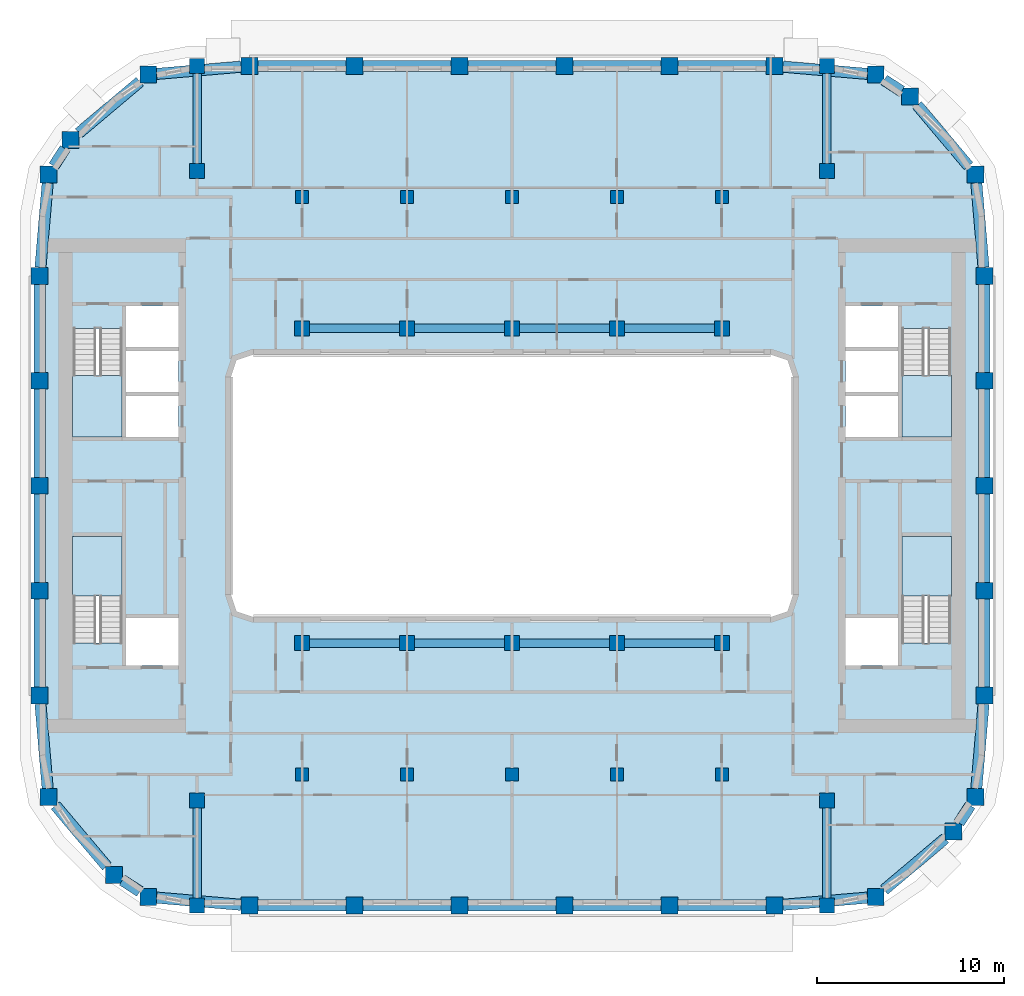
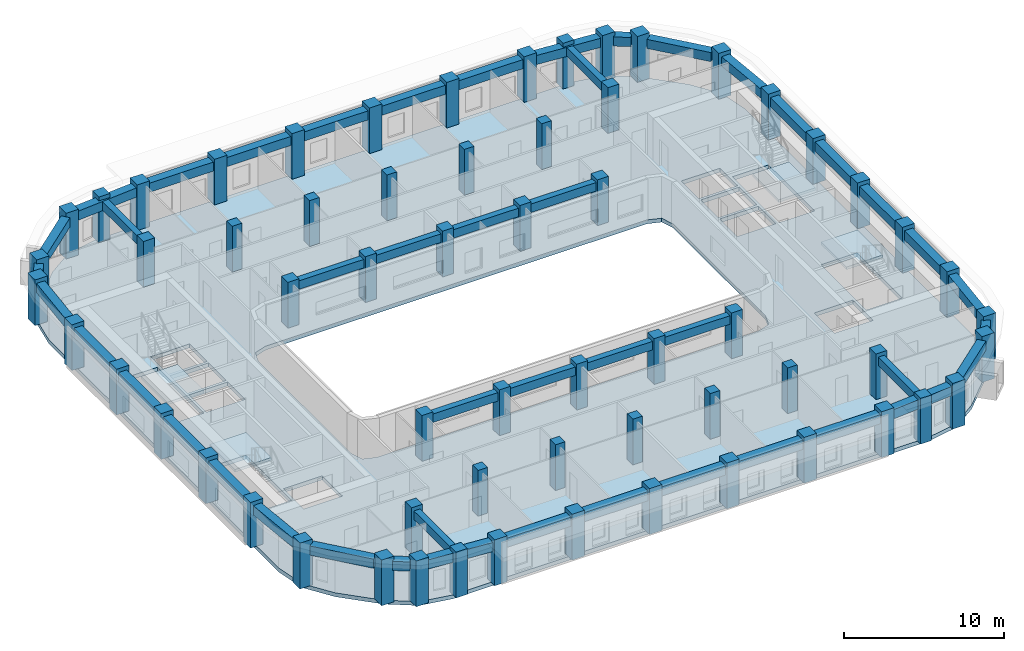
# One storey, part 1 of 21: 62 columns, 46 beams, 5 slabs, 4 elements without a shape of their own.
"""IFC4 building model written with IfcOpenShell, lengths in metres."""

from ifc_helpers import new_model, si_unit, direction, frame, origin, origin_2d, place, context, subcontext, project, spatial, polyline, rectangle, outline, extrude, material, layer, layer_set, material_profile, profile_set, type_object, element, aggregate, save


model = new_model("IFC4")

# Units and contexts
model_context = context("Model", 3, precision=1e-05, world=origin(), true_north=direction((0.0, 1.0)))
body_context = subcontext(model_context, "Body", "Model", "MODEL_VIEW")
ifc_project = project(units=[si_unit("LENGTHUNIT", "METRE"), si_unit("AREAUNIT", "SQUARE_METRE"), si_unit("VOLUMEUNIT", "CUBIC_METRE"), si_unit("PLANEANGLEUNIT", "RADIAN"), si_unit("MASSUNIT", "GRAM", prefix="KILO")], contexts=[model_context])

# Site, building, storey
site_placement = place(None, origin())
site = spatial("IfcSite", under=ifc_project, at=site_placement, CompositionType="ELEMENT")
building_placement = place(site_placement, origin())
building = spatial("IfcBuilding", under=site, at=building_placement, Name="Kiln Ring Residences", CompositionType="ELEMENT")
storey_placement = place(building_placement, frame((0.0, 0.0, 199.39990234375)))
storey = spatial("IfcBuildingStorey", under=building, at=storey_placement, Name="L51", CompositionType="ELEMENT", Elevation=199.39990234375)

# Columns
ifc_material_1 = material(Name="Concrete C70/85", Category="concrete")
ifc_material_profile_1 = material_profile(ifc_material_1, rectangle(XDim=0.699951171875, YDim=0.699951171875, at=origin_2d()), Name="RC700x700")
ifc_profile_set_1 = profile_set([ifc_material_profile_1], Name="Concrete C70/85")
column_type_1 = type_object("IfcColumnType", Name="Corridor column RC700x700 C70/85", PredefinedType="COLUMN", material=ifc_profile_set_1)
for number, where, z_axis, x_axis, name in (
    (1, (-11.199951171875, 15.39990234375, 0.0), (0.0, 0.0, 1.0), (1.0, 0.0, 0.0), "Corridor column L51 1"),
    (2, (-5.60009765625, 15.39990234375, 0.0), (0.0, 0.0, 1.0), (1.0, 0.0, 0.0), "Corridor column L51 2"),
    (3, (0.0, 15.39990234375, 0.0), (0.0, 0.0, 1.0), (1.0, 0.0, 0.0), "Corridor column L51 3"),
    (4, (5.60009765625, 15.39990234375, 0.0), (0.0, 0.0, 1.0), (1.0, 0.0, 0.0), "Corridor column L51 4"),
    (5, (11.199951171875, 15.39990234375, 0.0), (0.0, 0.0, 1.0), (1.0, 0.0, 0.0), "Corridor column L51 5"),
    (6, (-11.199951171875, -15.39990234375, 0.0), (0.0, 0.0, 1.0), (1.0, 0.0, 0.0), "Corridor column L51 6"),
    (7, (-5.60009765625, -15.39990234375, 0.0), (0.0, 0.0, 1.0), (1.0, 0.0, 0.0), "Corridor column L51 7"),
    (8, (0.0, -15.39990234375, 0.0), (0.0, 0.0, 1.0), (1.0, 0.0, 0.0), "Corridor column L51 8"),
    (9, (5.60009765625, -15.39990234375, 0.0), (0.0, 0.0, 1.0), (1.0, 0.0, 0.0), "Corridor column L51 9"),
    (10, (11.199951171875, -15.39990234375, 0.0), (0.0, 0.0, 1.0), (1.0, 0.0, 0.0), "Corridor column L51 10"),
):
    element("IfcColumn", number, at=place(storey_placement, frame(where, z_axis=z_axis, x_axis=x_axis)), inside=storey, type_object=column_type_1, Name=name, PredefinedType="COLUMN", context=body_context, shape_type="SweptSolid", body=[
        extrude(rectangle(XDim=0.699951171875, YDim=0.699951171875, at=origin_2d()), origin(), (0.0, 0.0, 1.0), 3.5),
    ])
ifc_material_2 = material(Name="Concrete C70/85", Category="concrete")
ifc_material_profile_2 = material_profile(ifc_material_2, rectangle(XDim=0.89990234375, YDim=0.89990234375, at=origin_2d()), Name="RC900x900")
ifc_profile_set_2 = profile_set([ifc_material_profile_2], Name="Concrete C70/85")
column_type_2 = type_object("IfcColumnType", Name="Perimeter column RC900x900 C70/85", PredefinedType="COLUMN", material=ifc_profile_set_2)
for number, where, z_axis, x_axis, name in (
    (11, (-19.40869140625, -21.93798828125, 0.0), (0.0, 0.0, 1.0), (1.0, 0.0, 0.0), "Perimeter column L51 1"),
    (12, (-14.0, -22.39990234375, 0.0), (0.0, 0.0, 1.0), (1.0, 0.0, 0.0), "Perimeter column L51 2"),
    (13, (-8.39990234375, -22.39990234375, 0.0), (0.0, 0.0, 1.0), (1.0, 0.0, 0.0), "Perimeter column L51 3"),
    (14, (-2.800048828125, -22.39990234375, 0.0), (0.0, 0.0, 1.0), (1.0, 0.0, 0.0), "Perimeter column L51 4"),
    (15, (2.800048828125, -22.39990234375, 0.0), (0.0, 0.0, 1.0), (1.0, 0.0, 0.0), "Perimeter column L51 5"),
    (16, (8.39990234375, -22.39990234375, 0.0), (0.0, 0.0, 1.0), (1.0, 0.0, 0.0), "Perimeter column L51 6"),
    (17, (14.0, -22.39990234375, 0.0), (0.0, 0.0, 1.0), (1.0, 0.0, 0.0), "Perimeter column L51 7"),
    (18, (19.40869140625, -21.93798828125, 0.0), (0.0, 0.0, 1.0), (1.0, 0.0, 0.0), "Perimeter column L51 8"),
    (19, (23.559814453125, -18.440185546875, 0.0), (0.0, 0.0, 1.0), (1.0, 0.0, 0.0), "Perimeter column L51 9"),
    (20, (24.738037109375, -16.608642578125, 0.0), (0.0, 0.0, 1.0), (1.0, 0.0, 0.0), "Perimeter column L51 10"),
    (21, (25.199951171875, -11.199951171875, 0.0), (0.0, 0.0, 1.0), (1.0, 0.0, 0.0), "Perimeter column L51 11"),
    (22, (25.199951171875, -5.60009765625, 0.0), (0.0, 0.0, 1.0), (1.0, 0.0, 0.0), "Perimeter column L51 12"),
    (23, (25.199951171875, 0.0, 0.0), (0.0, 0.0, 1.0), (1.0, 0.0, 0.0), "Perimeter column L51 13"),
    (24, (25.199951171875, 5.60009765625, 0.0), (0.0, 0.0, 1.0), (1.0, 0.0, 0.0), "Perimeter column L51 14"),
    (25, (25.199951171875, 11.199951171875, 0.0), (0.0, 0.0, 1.0), (1.0, 0.0, 0.0), "Perimeter column L51 15"),
    (26, (24.738037109375, 16.608642578125, 0.0), (0.0, 0.0, 1.0), (1.0, 0.0, 0.0), "Perimeter column L51 16"),
    (27, (21.240234375, 20.759765625, 0.0), (0.0, 0.0, 1.0), (1.0, 0.0, 0.0), "Perimeter column L51 17"),
    (28, (19.40869140625, 21.93798828125, 0.0), (0.0, 0.0, 1.0), (1.0, 0.0, 0.0), "Perimeter column L51 18"),
    (29, (14.0, 22.39990234375, 0.0), (0.0, 0.0, 1.0), (1.0, 0.0, 0.0), "Perimeter column L51 19"),
    (30, (8.39990234375, 22.39990234375, 0.0), (0.0, 0.0, 1.0), (1.0, 0.0, 0.0), "Perimeter column L51 20"),
    (31, (2.800048828125, 22.39990234375, 0.0), (0.0, 0.0, 1.0), (1.0, 0.0, 0.0), "Perimeter column L51 21"),
    (32, (-2.800048828125, 22.39990234375, 0.0), (0.0, 0.0, 1.0), (1.0, 0.0, 0.0), "Perimeter column L51 22"),
    (33, (-8.39990234375, 22.39990234375, 0.0), (0.0, 0.0, 1.0), (1.0, 0.0, 0.0), "Perimeter column L51 23"),
    (34, (-14.0, 22.39990234375, 0.0), (0.0, 0.0, 1.0), (1.0, 0.0, 0.0), "Perimeter column L51 24"),
    (35, (-19.40869140625, 21.93798828125, 0.0), (0.0, 0.0, 1.0), (1.0, 0.0, 0.0), "Perimeter column L51 25"),
    (36, (-23.559814453125, 18.440185546875, 0.0), (0.0, 0.0, 1.0), (1.0, 0.0, 0.0), "Perimeter column L51 26"),
    (37, (-24.738037109375, 16.608642578125, 0.0), (0.0, 0.0, 1.0), (1.0, 0.0, 0.0), "Perimeter column L51 27"),
    (38, (-25.199951171875, 11.199951171875, 0.0), (0.0, 0.0, 1.0), (1.0, 0.0, 0.0), "Perimeter column L51 28"),
    (39, (-25.199951171875, 5.60009765625, 0.0), (0.0, 0.0, 1.0), (1.0, 0.0, 0.0), "Perimeter column L51 29"),
    (40, (-25.199951171875, 0.0, 0.0), (0.0, 0.0, 1.0), (1.0, 0.0, 0.0), "Perimeter column L51 30"),
    (41, (-25.199951171875, -5.60009765625, 0.0), (0.0, 0.0, 1.0), (1.0, 0.0, 0.0), "Perimeter column L51 31"),
    (42, (-25.199951171875, -11.199951171875, 0.0), (0.0, 0.0, 1.0), (1.0, 0.0, 0.0), "Perimeter column L51 32"),
    (43, (-24.738037109375, -16.608642578125, 0.0), (0.0, 0.0, 1.0), (1.0, 0.0, 0.0), "Perimeter column L51 33"),
    (44, (-21.240234375, -20.759765625, 0.0), (0.0, 0.0, 1.0), (1.0, 0.0, 0.0), "Perimeter column L51 34"),
):
    element("IfcColumn", number, at=place(storey_placement, frame(where, z_axis=z_axis, x_axis=x_axis)), inside=storey, type_object=column_type_2, Name=name, PredefinedType="COLUMN", context=body_context, shape_type="SweptSolid", body=[
        extrude(rectangle(XDim=0.89990234375, YDim=0.89990234375, at=origin_2d()), origin(), (0.0, 0.0, 1.0), 3.5),
    ])
ifc_material_3 = material(Name="Concrete C70/85", Category="concrete")
ifc_material_profile_3 = material_profile(ifc_material_3, rectangle(XDim=0.800048828125, YDim=0.800048828125, at=origin_2d()), Name="RC800x800")
ifc_profile_set_3 = profile_set([ifc_material_profile_3], Name="Concrete C70/85")
column_type_3 = type_object("IfcColumnType", Name="Ring column RC800x800 C70/85", PredefinedType="COLUMN", material=ifc_profile_set_3)
for number, where, z_axis, x_axis, name in (
    (45, (-16.800048828125, -22.39990234375, 0.0), (0.0, 0.0, 1.0), (1.0, 0.0, 0.0), "Ring column L51 1"),
    (46, (-16.800048828125, -16.800048828125, 0.0), (0.0, 0.0, 1.0), (1.0, 0.0, 0.0), "Ring column L51 2"),
    (47, (-16.800048828125, 16.800048828125, 0.0), (0.0, 0.0, 1.0), (1.0, 0.0, 0.0), "Ring column L51 3"),
    (48, (-16.800048828125, 22.39990234375, 0.0), (0.0, 0.0, 1.0), (1.0, 0.0, 0.0), "Ring column L51 4"),
    (49, (-11.199951171875, -8.39990234375, 0.0), (0.0, 0.0, 1.0), (1.0, 0.0, 0.0), "Ring column L51 5"),
    (50, (-11.199951171875, 8.39990234375, 0.0), (0.0, 0.0, 1.0), (1.0, 0.0, 0.0), "Ring column L51 6"),
    (51, (-5.60009765625, -8.39990234375, 0.0), (0.0, 0.0, 1.0), (1.0, 0.0, 0.0), "Ring column L51 7"),
    (52, (-5.60009765625, 8.39990234375, 0.0), (0.0, 0.0, 1.0), (1.0, 0.0, 0.0), "Ring column L51 8"),
    (53, (0.0, -8.39990234375, 0.0), (0.0, 0.0, 1.0), (1.0, 0.0, 0.0), "Ring column L51 9"),
    (54, (0.0, 8.39990234375, 0.0), (0.0, 0.0, 1.0), (1.0, 0.0, 0.0), "Ring column L51 10"),
    (55, (5.60009765625, -8.39990234375, 0.0), (0.0, 0.0, 1.0), (1.0, 0.0, 0.0), "Ring column L51 11"),
    (56, (5.60009765625, 8.39990234375, 0.0), (0.0, 0.0, 1.0), (1.0, 0.0, 0.0), "Ring column L51 12"),
    (57, (11.199951171875, -8.39990234375, 0.0), (0.0, 0.0, 1.0), (1.0, 0.0, 0.0), "Ring column L51 13"),
    (58, (11.199951171875, 8.39990234375, 0.0), (0.0, 0.0, 1.0), (1.0, 0.0, 0.0), "Ring column L51 14"),
    (59, (16.800048828125, -22.39990234375, 0.0), (0.0, 0.0, 1.0), (1.0, 0.0, 0.0), "Ring column L51 15"),
    (60, (16.800048828125, -16.800048828125, 0.0), (0.0, 0.0, 1.0), (1.0, 0.0, 0.0), "Ring column L51 16"),
    (61, (16.800048828125, 16.800048828125, 0.0), (0.0, 0.0, 1.0), (1.0, 0.0, 0.0), "Ring column L51 17"),
    (62, (16.800048828125, 22.39990234375, 0.0), (0.0, 0.0, 1.0), (1.0, 0.0, 0.0), "Ring column L51 18"),
):
    element("IfcColumn", number, at=place(storey_placement, frame(where, z_axis=z_axis, x_axis=x_axis)), inside=storey, type_object=column_type_3, Name=name, PredefinedType="COLUMN", context=body_context, shape_type="SweptSolid", body=[
        extrude(rectangle(XDim=0.800048828125, YDim=0.800048828125, at=origin_2d()), origin(), (0.0, 0.0, 1.0), 3.5),
    ])

# Beams
ifc_material_4 = material(Name="Concrete C50/60", Category="concrete")
ifc_material_profile_4 = material_profile(ifc_material_4, rectangle(XDim=0.449951171875, YDim=0.64990234375, at=origin_2d()), Name="RC450x650")
ifc_profile_set_4 = profile_set([ifc_material_profile_4], Name="Concrete C50/60")
beam_type_1 = type_object("IfcBeamType", Name="Ring beam RC450x650 C50/60", PredefinedType="BEAM", material=ifc_profile_set_4)
for number, where, z_axis, x_axis, name in (
    (63, (-10.800048828125, -8.39990234375, 2.875), (1.0, 0.0, 0.0), (0.0, 1.0, 0.0), "Ring beam L51 1"),
    (64, (-5.199951171875, -8.39990234375, 2.875), (1.0, 0.0, 0.0), (0.0, 1.0, 0.0), "Ring beam L51 2"),
    (65, (0.39990234375, -8.39990234375, 2.875), (1.0, 0.0, 0.0), (0.0, 1.0, 0.0), "Ring beam L51 3"),
    (66, (6.0, -8.39990234375, 2.875), (1.0, 0.0, 0.0), (0.0, 1.0, 0.0), "Ring beam L51 4"),
    (67, (-10.800048828125, 8.39990234375, 2.875), (1.0, 0.0, 0.0), (0.0, 1.0, 0.0), "Ring beam L51 5"),
    (68, (-5.199951171875, 8.39990234375, 2.875), (1.0, 0.0, 0.0), (0.0, 1.0, 0.0), "Ring beam L51 6"),
    (69, (0.39990234375, 8.39990234375, 2.875), (1.0, 0.0, 0.0), (0.0, 1.0, 0.0), "Ring beam L51 7"),
    (70, (6.0, 8.39990234375, 2.875), (1.0, 0.0, 0.0), (0.0, 1.0, 0.0), "Ring beam L51 8"),
    (71, (-16.800048828125, -17.199951171875, 2.875), (0.0, -1.0, 0.0), (1.0, 0.0, 0.0), "Ring beam L51 9"),
    (72, (-16.800048828125, 17.199951171875, 2.875), (0.0, 1.0, 0.0), (-1.0, 0.0, 0.0), "Ring beam L51 10"),
    (73, (16.800048828125, -17.199951171875, 2.875), (0.0, -1.0, 0.0), (1.0, 0.0, 0.0), "Ring beam L51 11"),
    (74, (16.800048828125, 17.199951171875, 2.875), (0.0, 1.0, 0.0), (-1.0, 0.0, 0.0), "Ring beam L51 12"),
):
    element("IfcBeam", number, at=place(storey_placement, frame(where, z_axis=z_axis, x_axis=x_axis)), inside=storey, type_object=beam_type_1, Name=name, PredefinedType="BEAM", context=body_context, shape_type="SweptSolid", body=[
        extrude(rectangle(XDim=0.449951171875, YDim=0.64990234375, at=origin_2d()), origin(), (0.0, 0.0, 1.0), 4.800048828125),
    ])
ifc_material_5 = material(Name="Concrete C50/60", Category="concrete")
ifc_material_profile_5 = material_profile(ifc_material_5, rectangle(XDim=0.60009765625, YDim=0.699951171875, at=origin_2d()), Name="RC600x700")
ifc_profile_set_5 = profile_set([ifc_material_profile_5], Name="Concrete C50/60")
beam_type_2 = type_object("IfcBeamType", Name="Spandrel beam RC600x700 C50/60", PredefinedType="SPANDREL", material=ifc_profile_set_5)
beam_1_placement = place(storey_placement, frame((-18.958740234375, -21.9765625, 2.85009765625), z_axis=(0.996374010608, -0.085081319836, 0.0), x_axis=(0.085081319836, 0.996374010608, 0.0)))
element("IfcBeam", 75, at=beam_1_placement, inside=storey, type_object=beam_type_2, Name="Spandrel beam L51 1", PredefinedType="SPANDREL", context=body_context, shape_type="SweptSolid", body=[
    extrude(rectangle(XDim=0.60009765625, YDim=0.699951171875, at=origin_2d()), origin(), (0.0, 0.0, 1.0), 4.525146484375),
])
for number, where, z_axis, x_axis, name in (
    (76, (-13.550048828125, -22.39990234375, 2.85009765625), (1.0, 0.0, 0.0), (0.0, 1.0, 0.0), "Spandrel beam L51 2"),
    (77, (-7.949951171875, -22.39990234375, 2.85009765625), (1.0, 0.0, 0.0), (0.0, 1.0, 0.0), "Spandrel beam L51 3"),
):
    element("IfcBeam", number, at=place(storey_placement, frame(where, z_axis=z_axis, x_axis=x_axis)), inside=storey, type_object=beam_type_2, Name=name, PredefinedType="SPANDREL", context=body_context, shape_type="SweptSolid", body=[
        extrude(rectangle(XDim=0.60009765625, YDim=0.699951171875, at=origin_2d()), origin(), (0.0, 0.0, 1.0), 4.699951171875),
    ])
beam_2_placement = place(storey_placement, frame((-2.35009765625, -22.39990234375, 2.85009765625), z_axis=(1.0, 0.0, 0.0), x_axis=(0.0, 1.0, 0.0)))
element("IfcBeam", 78, at=beam_2_placement, inside=storey, type_object=beam_type_2, Name="Spandrel beam L51 4", PredefinedType="SPANDREL", context=body_context, shape_type="SweptSolid", body=[
    extrude(rectangle(XDim=0.60009765625, YDim=0.699951171875, at=origin_2d()), origin(), (0.0, 0.0, 1.0), 4.7001953125),
])
for number, where, z_axis, x_axis, name in (
    (79, (3.25, -22.39990234375, 2.85009765625), (1.0, 0.0, 0.0), (0.0, 1.0, 0.0), "Spandrel beam L51 5"),
    (80, (8.85009765625, -22.39990234375, 2.85009765625), (1.0, 0.0, 0.0), (0.0, 1.0, 0.0), "Spandrel beam L51 6"),
):
    element("IfcBeam", number, at=place(storey_placement, frame(where, z_axis=z_axis, x_axis=x_axis)), inside=storey, type_object=beam_type_2, Name=name, PredefinedType="SPANDREL", context=body_context, shape_type="SweptSolid", body=[
        extrude(rectangle(XDim=0.60009765625, YDim=0.699951171875, at=origin_2d()), origin(), (0.0, 0.0, 1.0), 4.699951171875),
    ])
beam_3_placement = place(storey_placement, frame((14.449951171875, -22.361572265625, 2.85009765625), z_axis=(0.996374010608, 0.085081319836, 0.0), x_axis=(-0.085081319836, 0.996374010608, 0.0)))
element("IfcBeam", 81, at=beam_3_placement, inside=storey, type_object=beam_type_2, Name="Spandrel beam L51 7", PredefinedType="SPANDREL", context=body_context, shape_type="SweptSolid", body=[
    extrude(rectangle(XDim=0.60009765625, YDim=0.699951171875, at=origin_2d()), origin(), (0.0, 0.0, 1.0), 4.525146484375),
])
beam_4_placement = place(storey_placement, frame((19.858642578125, -21.558837890625, 2.85009765625), z_axis=(0.764722045893, 0.644360297136, 0.0), x_axis=(-0.644360297136, 0.764722045893, 0.0)))
element("IfcBeam", 82, at=beam_4_placement, inside=storey, type_object=beam_type_2, Name="Spandrel beam L51 8", PredefinedType="SPANDREL", context=body_context, shape_type="SweptSolid", body=[
    extrude(rectangle(XDim=0.60009765625, YDim=0.699951171875, at=origin_2d()), origin(), (0.0, 0.0, 1.0), 4.25146484375),
])
beam_5_placement = place(storey_placement, frame((23.849365234375, -17.990234375, 2.85009765625), z_axis=(0.540891264019, 0.841092527911, 0.0), x_axis=(-0.841092527911, 0.540891264019, 0.0)))
element("IfcBeam", 83, at=beam_5_placement, inside=storey, type_object=beam_type_2, Name="Spandrel beam L51 9", PredefinedType="SPANDREL", context=body_context, shape_type="SweptSolid", body=[
    extrude(rectangle(XDim=0.60009765625, YDim=0.699951171875, at=origin_2d()), origin(), (0.0, 0.0, 1.0), 1.107666015625),
])
beam_6_placement = place(storey_placement, frame((24.776611328125, -16.15869140625, 2.85009765625), z_axis=(0.085081319836, 0.996374010608, 0.0), x_axis=(-0.996374010608, 0.085081319836, 0.0)))
element("IfcBeam", 84, at=beam_6_placement, inside=storey, type_object=beam_type_2, Name="Spandrel beam L51 10", PredefinedType="SPANDREL", context=body_context, shape_type="SweptSolid", body=[
    extrude(rectangle(XDim=0.60009765625, YDim=0.699951171875, at=origin_2d()), origin(), (0.0, 0.0, 1.0), 4.525146484375),
])
for number, where, z_axis, x_axis, name in (
    (85, (25.199951171875, -10.75, 2.85009765625), (0.0, 1.0, 0.0), (-1.0, 0.0, 0.0), "Spandrel beam L51 11"),
    (86, (25.199951171875, -5.14990234375, 2.85009765625), (0.0, 1.0, 0.0), (-1.0, 0.0, 0.0), "Spandrel beam L51 12"),
    (87, (25.199951171875, 0.449951171875, 2.85009765625), (0.0, 1.0, 0.0), (-1.0, 0.0, 0.0), "Spandrel beam L51 13"),
    (88, (25.199951171875, 6.050048828125, 2.85009765625), (0.0, 1.0, 0.0), (-1.0, 0.0, 0.0), "Spandrel beam L51 14"),
):
    element("IfcBeam", number, at=place(storey_placement, frame(where, z_axis=z_axis, x_axis=x_axis)), inside=storey, type_object=beam_type_2, Name=name, PredefinedType="SPANDREL", context=body_context, shape_type="SweptSolid", body=[
        extrude(rectangle(XDim=0.60009765625, YDim=0.699951171875, at=origin_2d()), origin(), (0.0, 0.0, 1.0), 4.699951171875),
    ])
beam_7_placement = place(storey_placement, frame((25.16162109375, 11.64990234375, 2.85009765625), z_axis=(-0.085081319836, 0.996374010608, 0.0), x_axis=(-0.996374010608, -0.085081319836, 0.0)))
element("IfcBeam", 89, at=beam_7_placement, inside=storey, type_object=beam_type_2, Name="Spandrel beam L51 15", PredefinedType="SPANDREL", context=body_context, shape_type="SweptSolid", body=[
    extrude(rectangle(XDim=0.60009765625, YDim=0.699951171875, at=origin_2d()), origin(), (0.0, 0.0, 1.0), 4.525146484375),
])
beam_8_placement = place(storey_placement, frame((24.35888671875, 17.05859375, 2.85009765625), z_axis=(-0.644360297136, 0.764722045893, 0.0), x_axis=(-0.764722045893, -0.644360297136, 0.0)))
element("IfcBeam", 90, at=beam_8_placement, inside=storey, type_object=beam_type_2, Name="Spandrel beam L51 16", PredefinedType="SPANDREL", context=body_context, shape_type="SweptSolid", body=[
    extrude(rectangle(XDim=0.60009765625, YDim=0.699951171875, at=origin_2d()), origin(), (0.0, 0.0, 1.0), 4.25146484375),
])
beam_9_placement = place(storey_placement, frame((20.790283203125, 21.04931640625, 2.85009765625), z_axis=(-0.840992251229, 0.541047163723, 0.0), x_axis=(-0.541047163723, -0.840992251229, 0.0)))
element("IfcBeam", 91, at=beam_9_placement, inside=storey, type_object=beam_type_2, Name="Spandrel beam L51 17", PredefinedType="SPANDREL", context=body_context, shape_type="SweptSolid", body=[
    extrude(rectangle(XDim=0.60009765625, YDim=0.699951171875, at=origin_2d()), origin(), (0.0, 0.0, 1.0), 1.107666015625),
])
beam_10_placement = place(storey_placement, frame((18.958740234375, 21.9765625, 2.85009765625), z_axis=(-0.996374010608, 0.085081319836, 0.0), x_axis=(-0.085081319836, -0.996374010608, 0.0)))
element("IfcBeam", 92, at=beam_10_placement, inside=storey, type_object=beam_type_2, Name="Spandrel beam L51 18", PredefinedType="SPANDREL", context=body_context, shape_type="SweptSolid", body=[
    extrude(rectangle(XDim=0.60009765625, YDim=0.699951171875, at=origin_2d()), origin(), (0.0, 0.0, 1.0), 4.525146484375),
])
for number, where, z_axis, x_axis, name in (
    (93, (13.550048828125, 22.39990234375, 2.85009765625), (-1.0, 0.0, 0.0), (0.0, -1.0, 0.0), "Spandrel beam L51 19"),
    (94, (7.949951171875, 22.39990234375, 2.85009765625), (-1.0, 0.0, 0.0), (0.0, -1.0, 0.0), "Spandrel beam L51 20"),
):
    element("IfcBeam", number, at=place(storey_placement, frame(where, z_axis=z_axis, x_axis=x_axis)), inside=storey, type_object=beam_type_2, Name=name, PredefinedType="SPANDREL", context=body_context, shape_type="SweptSolid", body=[
        extrude(rectangle(XDim=0.60009765625, YDim=0.699951171875, at=origin_2d()), origin(), (0.0, 0.0, 1.0), 4.699951171875),
    ])
beam_11_placement = place(storey_placement, frame((2.35009765625, 22.39990234375, 2.85009765625), z_axis=(-1.0, 0.0, 0.0), x_axis=(0.0, -1.0, 0.0)))
element("IfcBeam", 95, at=beam_11_placement, inside=storey, type_object=beam_type_2, Name="Spandrel beam L51 21", PredefinedType="SPANDREL", context=body_context, shape_type="SweptSolid", body=[
    extrude(rectangle(XDim=0.60009765625, YDim=0.699951171875, at=origin_2d()), origin(), (0.0, 0.0, 1.0), 4.7001953125),
])
for number, where, z_axis, x_axis, name in (
    (96, (-3.25, 22.39990234375, 2.85009765625), (-1.0, 0.0, 0.0), (0.0, -1.0, 0.0), "Spandrel beam L51 22"),
    (97, (-8.85009765625, 22.39990234375, 2.85009765625), (-1.0, 0.0, 0.0), (0.0, -1.0, 0.0), "Spandrel beam L51 23"),
):
    element("IfcBeam", number, at=place(storey_placement, frame(where, z_axis=z_axis, x_axis=x_axis)), inside=storey, type_object=beam_type_2, Name=name, PredefinedType="SPANDREL", context=body_context, shape_type="SweptSolid", body=[
        extrude(rectangle(XDim=0.60009765625, YDim=0.699951171875, at=origin_2d()), origin(), (0.0, 0.0, 1.0), 4.699951171875),
    ])
beam_12_placement = place(storey_placement, frame((-14.449951171875, 22.361572265625, 2.85009765625), z_axis=(-0.996374010608, -0.085081319836, 0.0), x_axis=(0.085081319836, -0.996374010608, 0.0)))
element("IfcBeam", 98, at=beam_12_placement, inside=storey, type_object=beam_type_2, Name="Spandrel beam L51 24", PredefinedType="SPANDREL", context=body_context, shape_type="SweptSolid", body=[
    extrude(rectangle(XDim=0.60009765625, YDim=0.699951171875, at=origin_2d()), origin(), (0.0, 0.0, 1.0), 4.525146484375),
])
beam_13_placement = place(storey_placement, frame((-19.858642578125, 21.558837890625, 2.85009765625), z_axis=(-0.764722045893, -0.644360297136, 0.0), x_axis=(0.644360297136, -0.764722045893, 0.0)))
element("IfcBeam", 99, at=beam_13_placement, inside=storey, type_object=beam_type_2, Name="Spandrel beam L51 25", PredefinedType="SPANDREL", context=body_context, shape_type="SweptSolid", body=[
    extrude(rectangle(XDim=0.60009765625, YDim=0.699951171875, at=origin_2d()), origin(), (0.0, 0.0, 1.0), 4.25146484375),
])
beam_14_placement = place(storey_placement, frame((-23.849365234375, 17.990234375, 2.85009765625), z_axis=(-0.540891264019, -0.841092527911, 0.0), x_axis=(0.841092527911, -0.540891264019, 0.0)))
element("IfcBeam", 100, at=beam_14_placement, inside=storey, type_object=beam_type_2, Name="Spandrel beam L51 26", PredefinedType="SPANDREL", context=body_context, shape_type="SweptSolid", body=[
    extrude(rectangle(XDim=0.60009765625, YDim=0.699951171875, at=origin_2d()), origin(), (0.0, 0.0, 1.0), 1.107666015625),
])
beam_15_placement = place(storey_placement, frame((-24.776611328125, 16.15869140625, 2.85009765625), z_axis=(-0.085081319836, -0.996374010608, 0.0), x_axis=(0.996374010608, -0.085081319836, 0.0)))
element("IfcBeam", 101, at=beam_15_placement, inside=storey, type_object=beam_type_2, Name="Spandrel beam L51 27", PredefinedType="SPANDREL", context=body_context, shape_type="SweptSolid", body=[
    extrude(rectangle(XDim=0.60009765625, YDim=0.699951171875, at=origin_2d()), origin(), (0.0, 0.0, 1.0), 4.525146484375),
])
for number, where, z_axis, x_axis, name in (
    (102, (-25.199951171875, 10.75, 2.85009765625), (0.0, -1.0, 0.0), (1.0, 0.0, 0.0), "Spandrel beam L51 28"),
    (103, (-25.199951171875, 5.14990234375, 2.85009765625), (0.0, -1.0, 0.0), (1.0, 0.0, 0.0), "Spandrel beam L51 29"),
    (104, (-25.199951171875, -0.449951171875, 2.85009765625), (0.0, -1.0, 0.0), (1.0, 0.0, 0.0), "Spandrel beam L51 30"),
    (105, (-25.199951171875, -6.050048828125, 2.85009765625), (0.0, -1.0, 0.0), (1.0, 0.0, 0.0), "Spandrel beam L51 31"),
):
    element("IfcBeam", number, at=place(storey_placement, frame(where, z_axis=z_axis, x_axis=x_axis)), inside=storey, type_object=beam_type_2, Name=name, PredefinedType="SPANDREL", context=body_context, shape_type="SweptSolid", body=[
        extrude(rectangle(XDim=0.60009765625, YDim=0.699951171875, at=origin_2d()), origin(), (0.0, 0.0, 1.0), 4.699951171875),
    ])
beam_16_placement = place(storey_placement, frame((-25.16162109375, -11.64990234375, 2.85009765625), z_axis=(0.085081319836, -0.996374010608, 0.0), x_axis=(0.996374010608, 0.085081319836, 0.0)))
element("IfcBeam", 106, at=beam_16_placement, inside=storey, type_object=beam_type_2, Name="Spandrel beam L51 32", PredefinedType="SPANDREL", context=body_context, shape_type="SweptSolid", body=[
    extrude(rectangle(XDim=0.60009765625, YDim=0.699951171875, at=origin_2d()), origin(), (0.0, 0.0, 1.0), 4.525146484375),
])
beam_17_placement = place(storey_placement, frame((-24.35888671875, -17.05859375, 2.85009765625), z_axis=(0.644360297136, -0.764722045893, 0.0), x_axis=(0.764722045893, 0.644360297136, 0.0)))
element("IfcBeam", 107, at=beam_17_placement, inside=storey, type_object=beam_type_2, Name="Spandrel beam L51 33", PredefinedType="SPANDREL", context=body_context, shape_type="SweptSolid", body=[
    extrude(rectangle(XDim=0.60009765625, YDim=0.699951171875, at=origin_2d()), origin(), (0.0, 0.0, 1.0), 4.25146484375),
])
beam_18_placement = place(storey_placement, frame((-20.790283203125, -21.04931640625, 2.85009765625), z_axis=(0.840992251229, -0.541047163723, 0.0), x_axis=(0.541047163723, 0.840992251229, 0.0)))
element("IfcBeam", 108, at=beam_18_placement, inside=storey, type_object=beam_type_2, Name="Spandrel beam L51 34", PredefinedType="SPANDREL", context=body_context, shape_type="SweptSolid", body=[
    extrude(rectangle(XDim=0.60009765625, YDim=0.699951171875, at=origin_2d()), origin(), (0.0, 0.0, 1.0), 1.107666015625),
])

# Stair, slab
ifc_material_6 = material(Name="Concrete C40/50", Category="concrete")
stair_type = type_object("IfcStairType", Name="CORE-STAIR", PredefinedType="HALF_TURN_STAIR", material=ifc_material_6)
placement_1 = place(storey_placement, origin())
stair_1 = element("IfcStair", 109, at=placement_1, inside=storey, type_object=stair_type, Name="L51 stair W-STN", PredefinedType="HALF_TURN_STAIR")
ifc_material_7 = material(Name="Concrete C40/50", Category="concrete")
ifc_layer_1 = layer(ifc_material_7, 0.199951171875)
ifc_layer_set_1 = layer_set([ifc_layer_1], Name="CORE-STAIR-LANDING")
slab_type_1 = type_object("IfcSlabType", Name="CORE-STAIR-LANDING", PredefinedType="LANDING", material=ifc_layer_set_1)
placement_2 = place(storey_placement, frame((0.0, 0.0, 1.550048828125)))
slab_1 = element("IfcSlab", 110, at=placement_2, type_object=slab_type_1, Name="W-STN landing 1", PredefinedType="LANDING", context=body_context, shape_type="SweptSolid", body=[
    extrude(outline(polyline([(-23.449951171875, 5.8798828125), (-23.449951171875, 2.60009765625), (-20.800048828125, 2.60009765625), (-20.800048828125, 5.8798828125), (-23.449951171875, 5.8798828125)])), origin(), (0.0, 0.0, 1.0), 0.199951171875),
])
aggregate(stair_1, [slab_1])

stair_2 = element("IfcStair", 111, at=placement_1, inside=storey, type_object=stair_type, Name="L51 stair W-STS", PredefinedType="HALF_TURN_STAIR")
slab_2 = element("IfcSlab", 112, at=placement_2, type_object=slab_type_1, Name="W-STS landing 1", PredefinedType="LANDING", context=body_context, shape_type="SweptSolid", body=[
    extrude(outline(polyline([(-20.800048828125, -5.8798828125), (-20.800048828125, -2.699951171875), (-23.449951171875, -2.699951171875), (-23.449951171875, -5.8798828125), (-20.800048828125, -5.8798828125)])), origin(), (0.0, 0.0, 1.0), 0.199951171875),
])
aggregate(stair_2, [slab_2])

stair_3 = element("IfcStair", 113, at=placement_1, inside=storey, type_object=stair_type, Name="L51 stair E-STN", PredefinedType="HALF_TURN_STAIR")
slab_3 = element("IfcSlab", 114, at=placement_2, type_object=slab_type_1, Name="E-STN landing 1", PredefinedType="LANDING", context=body_context, shape_type="SweptSolid", body=[
    extrude(outline(polyline([(20.800048828125, 5.8798828125), (20.800048828125, 2.60009765625), (23.449951171875, 2.60009765625), (23.449951171875, 5.8798828125), (20.800048828125, 5.8798828125)])), origin(), (0.0, 0.0, 1.0), 0.199951171875),
])
aggregate(stair_3, [slab_3])

stair_4 = element("IfcStair", 115, at=placement_1, inside=storey, type_object=stair_type, Name="L51 stair E-STS", PredefinedType="HALF_TURN_STAIR")
slab_4 = element("IfcSlab", 116, at=placement_2, type_object=slab_type_1, Name="E-STS landing 1", PredefinedType="LANDING", context=body_context, shape_type="SweptSolid", body=[
    extrude(outline(polyline([(23.449951171875, -5.8798828125), (23.449951171875, -2.699951171875), (20.800048828125, -2.699951171875), (20.800048828125, -5.8798828125), (23.449951171875, -5.8798828125)])), origin(), (0.0, 0.0, 1.0), 0.199951171875),
])
aggregate(stair_4, [slab_4])

# Slab
ifc_material_8 = material(Name="Concrete C40/50", Category="concrete")
ifc_layer_2 = layer(ifc_material_8, 0.300048828125)
ifc_layer_set_2 = layer_set([ifc_layer_2], Name="Floor slab 300")
slab_type_2 = type_object("IfcSlabType", Name="Floor slab 300", PredefinedType="FLOOR", material=ifc_layer_set_2)
slab_5_placement = place(storey_placement, frame((0.0, 0.0, -0.2998046875)))
element("IfcSlab", 117, at=slab_5_placement, inside=storey, type_object=slab_type_2, Name="Floor slab L51 1", PredefinedType="FLOOR", context=body_context, shape_type="SweptSolid", body=[
    extrude(outline(polyline([(-23.5029296875, -18.4970703125), (-21.297119140625, -20.702880859375), (-19.42431640625, -21.975830078125), (-17.199951171875, -22.39990234375), (17.199951171875, -22.39990234375), (19.42431640625, -21.975830078125), (21.297119140625, -20.702880859375), (23.5029296875, -18.4970703125), (24.775634765625, -16.624267578125), (25.199951171875, -14.39990234375), (25.199951171875, 14.39990234375), (24.775634765625, 16.624267578125), (23.5029296875, 18.4970703125), (21.297119140625, 20.702880859375), (19.42431640625, 21.975830078125), (17.199951171875, 22.39990234375), (-17.199951171875, 22.39990234375), (-19.42431640625, 21.975830078125), (-21.297119140625, 20.702880859375), (-23.5029296875, 18.4970703125), (-24.775634765625, 16.624267578125), (-25.199951171875, 14.39990234375), (-25.199951171875, -14.39990234375), (-24.775634765625, -16.624267578125), (-23.5029296875, -18.4970703125)]), holes=[polyline([(-14.699951171875, -6.699951171875), (-15.0, -5.800048828125), (-15.0, 5.800048828125), (-14.699951171875, 6.699951171875), (-13.800048828125, 7.0), (13.800048828125, 7.0), (14.699951171875, 6.699951171875), (15.0, 5.800048828125), (15.0, -5.800048828125), (14.699951171875, -6.699951171875), (13.800048828125, -7.0), (-13.800048828125, -7.0), (-14.699951171875, -6.699951171875)]), polyline([(20.800048828125, -8.39794921875), (20.800048828125, -2.699951171875), (23.39990234375, -2.699951171875), (23.39990234375, -8.39794921875), (20.800048828125, -8.39794921875)]), polyline([(23.39990234375, 2.60009765625), (20.800048828125, 2.60009765625), (20.800048828125, 8.39794921875), (23.39990234375, 8.39794921875), (23.39990234375, 2.60009765625)]), polyline([(17.800048828125, 2.60009765625), (17.800048828125, 4.800048828125), (20.60009765625, 4.800048828125), (20.60009765625, 2.60009765625), (17.800048828125, 2.60009765625)]), polyline([(17.800048828125, 5.0), (17.800048828125, 7.199951171875), (20.60009765625, 7.199951171875), (20.60009765625, 5.0), (17.800048828125, 5.0)]), polyline([(17.800048828125, 7.39990234375), (17.800048828125, 9.60009765625), (20.60009765625, 9.60009765625), (20.60009765625, 7.39990234375), (17.800048828125, 7.39990234375)]), polyline([(20.60009765625, -9.60009765625), (17.800048828125, -9.60009765625), (17.800048828125, -7.050048828125), (20.60009765625, -7.050048828125), (20.60009765625, -9.60009765625)]), polyline([(-17.800048828125, -7.050048828125), (-17.800048828125, -9.60009765625), (-20.60009765625, -9.60009765625), (-20.60009765625, -7.050048828125), (-17.800048828125, -7.050048828125)]), polyline([(-17.800048828125, 2.60009765625), (-20.60009765625, 2.60009765625), (-20.60009765625, 4.800048828125), (-17.800048828125, 4.800048828125), (-17.800048828125, 2.60009765625)]), polyline([(-17.800048828125, 5.0), (-20.60009765625, 5.0), (-20.60009765625, 7.199951171875), (-17.800048828125, 7.199951171875), (-17.800048828125, 5.0)]), polyline([(-17.800048828125, 7.39990234375), (-20.60009765625, 7.39990234375), (-20.60009765625, 9.60009765625), (-17.800048828125, 9.60009765625), (-17.800048828125, 7.39990234375)]), polyline([(-20.800048828125, -8.39794921875), (-23.39990234375, -8.39794921875), (-23.39990234375, -2.699951171875), (-20.800048828125, -2.699951171875), (-20.800048828125, -8.39794921875)]), polyline([(-20.800048828125, 8.39794921875), (-20.800048828125, 2.60009765625), (-23.39990234375, 2.60009765625), (-23.39990234375, 8.39794921875), (-20.800048828125, 8.39794921875)])]), origin(), (0.0, 0.0, 1.0), 0.2998046875),
])

save(model, "model.ifc")
